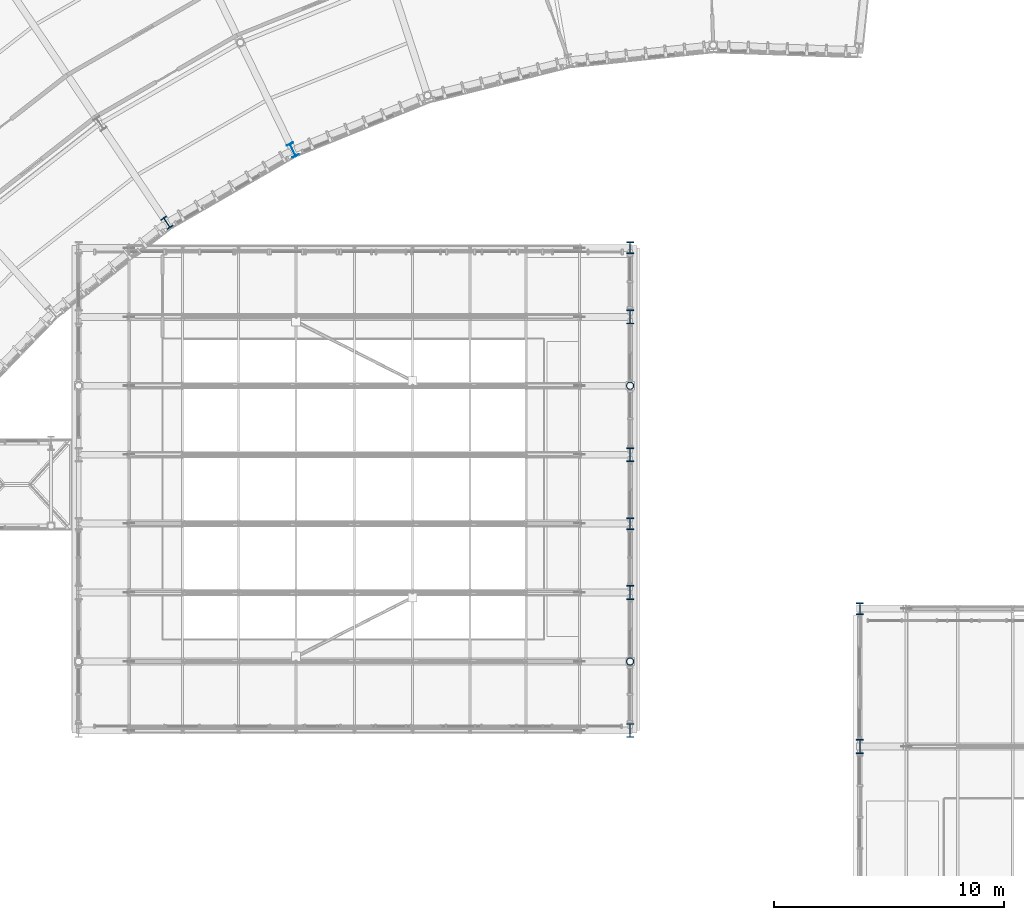
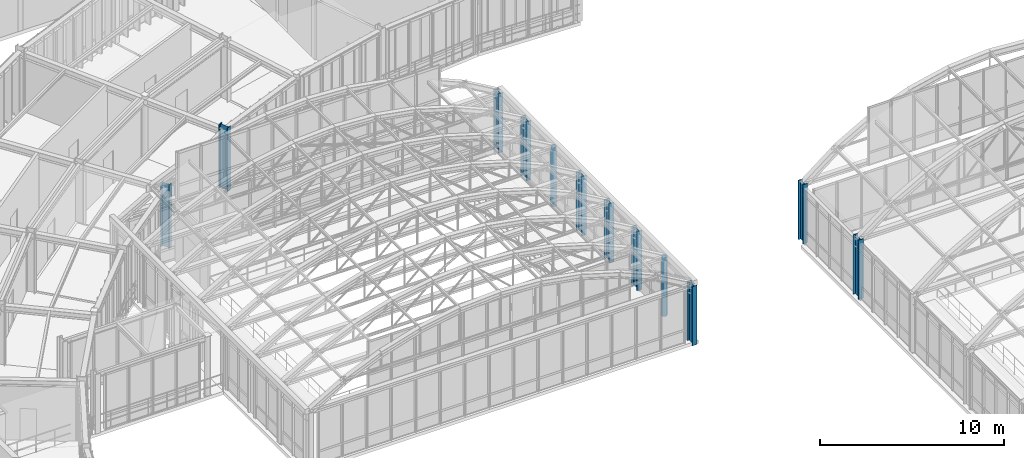
# One storey, part 6 of 148: 12 columns.
"""IFC4 building model written with IfcOpenShell, lengths in metres."""

from ifc_helpers import new_model, si_unit, direction, frame, origin, origin_2d, place, context, subcontext, project, spatial, hollow_circle, i_section, extrude, material, material_profile, profile_set, type_object, element, save


model = new_model("IFC4")

# Units and contexts
model_context = context("Model", 3, precision=1e-05, world=origin(), true_north=direction((0.0, 1.0)))
body_context = subcontext(model_context, "Body", "Model", "MODEL_VIEW")
ifc_project = project(units=[si_unit("LENGTHUNIT", "METRE"), si_unit("AREAUNIT", "SQUARE_METRE"), si_unit("VOLUMEUNIT", "CUBIC_METRE"), si_unit("PLANEANGLEUNIT", "RADIAN"), si_unit("MASSUNIT", "GRAM", prefix="KILO"), si_unit("THERMODYNAMICTEMPERATUREUNIT", "KELVIN"), si_unit("POWERUNIT", "WATT")], contexts=[model_context])

# Site, building, storey
site_placement = place(None, origin())
site = spatial("IfcSite", under=ifc_project, at=site_placement, CompositionType="ELEMENT")
building_placement = place(site_placement, origin())
building = spatial("IfcBuilding", under=site, at=building_placement, Name="Solvatero Civic Police Headquarters", CompositionType="ELEMENT")
storey_placement = place(building_placement, frame((0.0, 0.0, 5.10009765625)))
storey = spatial("IfcBuildingStorey", under=building, at=storey_placement, Name="L01", CompositionType="ELEMENT", Elevation=5.10009765625)

# Columns
ifc_material = material(Name="Steel S355", Category="steel")
ifc_material_profile_1 = material_profile(ifc_material, hollow_circle(Radius=0.161865234375, WallThickness=0.01611328125, at=origin_2d()), Name="CHS 323.9x16.0")
ifc_profile_set_1 = profile_set([ifc_material_profile_1], Name="Steel S355")
column_type_1 = type_object("IfcColumnType", Name="COL-ST-CHS324", PredefinedType="COLUMN", material=ifc_profile_set_1)
for number, where, z_axis, x_axis, name in (
    (1, (88.800048828125, 44.5, 0.0), (0.0, 0.0, 1.0), (1.0, 0.0, 0.0), "Column V2-E-F2 L01"),
    (2, (88.800048828125, 56.5, 0.0), (0.0, 0.0, 1.0), (1.0, 0.0, 0.0), "Column V2-E-F6 L01"),
):
    element("IfcColumn", number, at=place(storey_placement, frame(where, z_axis=z_axis, x_axis=x_axis)), inside=storey, type_object=column_type_1, Name=name, PredefinedType="COLUMN", context=body_context, shape_type="SweptSolid", body=[
        extrude(hollow_circle(Radius=0.161865234375, WallThickness=0.01611328125, at=origin_2d()), origin(), (0.0, 0.0, 1.0), 3.919921875),
    ])
ifc_material_profile_2 = material_profile(ifc_material, i_section(OverallWidth=0.300048828125, OverallDepth=0.60009765625, WebThickness=0.015380859375, FlangeThickness=0.030029296875, FilletRadius=0.027099609375, at=origin_2d()), Name="HEB 600")
ifc_profile_set_2 = profile_set([ifc_material_profile_2], Name="Steel S355")
column_type_2 = type_object("IfcColumnType", Name="COL-ST-HEB600", PredefinedType="COLUMN", material=ifc_profile_set_2)
column_1_placement = place(storey_placement, frame((74.119873046875, 66.76025390625, 0.0), z_axis=(0.0, 0.0, 1.0), x_axis=(0.898794046299, 0.438371146789, 0.0)))
element("IfcColumn", 3, at=column_1_placement, inside=storey, type_object=column_type_2, Name="Column ARC-S04-IN L01", PredefinedType="COLUMN", context=body_context, shape_type="SweptSolid", body=[
    extrude(i_section(OverallWidth=0.300048828125, OverallDepth=0.60009765625, WebThickness=0.015380859375, FlangeThickness=0.030029296875, FilletRadius=0.027099609375, at=origin_2d()), origin(), (0.0, 0.0, 1.0), 4.199951171875),
])
for number, where, z_axis, x_axis, name in (
    (4, (88.800048828125, 41.5, 0.0), (0.0, 0.0, 1.0), (1.0, 0.0, 0.0), "Column V2-E-F1 L01"),
    (5, (88.800048828125, 53.5, 0.0), (0.0, 0.0, 1.0), (1.0, 0.0, 0.0), "Column V2-E-F5 L01"),
):
    element("IfcColumn", number, at=place(storey_placement, frame(where, z_axis=z_axis, x_axis=x_axis)), inside=storey, type_object=column_type_2, Name=name, PredefinedType="COLUMN", context=body_context, shape_type="SweptSolid", body=[
        extrude(i_section(OverallWidth=0.300048828125, OverallDepth=0.60009765625, WebThickness=0.015380859375, FlangeThickness=0.030029296875, FilletRadius=0.027099609375, at=origin_2d()), origin(), (0.0, 0.0, 1.0), 3.919921875),
    ])
ifc_material_profile_3 = material_profile(ifc_material, i_section(OverallWidth=0.305908203125, OverallDepth=0.52392578125, WebThickness=0.02099609375, FlangeThickness=0.0400390625, FilletRadius=0.027099609375, at=origin_2d()), Name="HEM 500")
ifc_profile_set_3 = profile_set([ifc_material_profile_3], Name="Steel S355")
column_type_3 = type_object("IfcColumnType", Name="COL-ST-HEM500", PredefinedType="COLUMN", material=ifc_profile_set_3)
column_2_placement = place(storey_placement, frame((68.640625, 63.596923828125, 0.0), z_axis=(0.0, 0.0, 1.0), x_axis=(0.829037572555, 0.559192903471, 0.0)))
element("IfcColumn", 6, at=column_2_placement, inside=storey, type_object=column_type_3, Name="Column ARC-S05-IN L01", PredefinedType="COLUMN", context=body_context, shape_type="SweptSolid", body=[
    extrude(i_section(OverallWidth=0.305908203125, OverallDepth=0.52392578125, WebThickness=0.02099609375, FlangeThickness=0.0400390625, FilletRadius=0.027099609375, at=origin_2d()), origin(), (0.0, 0.0, 1.0), 4.199951171875),
])
for number, where, z_axis, x_axis, name in (
    (7, (98.800048828125, 46.800048828125, 0.0), (0.0, 0.0, 1.0), (1.0, 0.0, 0.0), "Column V1-W-F8 L01"),
    (8, (88.800048828125, 50.5, 0.0), (0.0, 0.0, 1.0), (1.0, 0.0, 0.0), "Column V2-E-F4 L01"),
    (9, (88.800048828125, 62.5, 0.0), (0.0, 0.0, 1.0), (1.0, 0.0, 0.0), "Column V2-E-F8 L01"),
):
    element("IfcColumn", number, at=place(storey_placement, frame(where, z_axis=z_axis, x_axis=x_axis)), inside=storey, type_object=column_type_3, Name=name, PredefinedType="COLUMN", context=body_context, shape_type="SweptSolid", body=[
        extrude(i_section(OverallWidth=0.305908203125, OverallDepth=0.52392578125, WebThickness=0.02099609375, FlangeThickness=0.0400390625, FilletRadius=0.027099609375, at=origin_2d()), origin(), (0.0, 0.0, 1.0), 3.919921875),
    ])
ifc_material_profile_4 = material_profile(ifc_material, i_section(OverallWidth=0.304931640625, OverallDepth=0.6201171875, WebThickness=0.02099609375, FlangeThickness=0.0400390625, FilletRadius=0.027099609375, at=origin_2d()), Name="HEM 600")
ifc_profile_set_4 = profile_set([ifc_material_profile_4], Name="Steel S355")
column_type_4 = type_object("IfcColumnType", Name="COL-ST-HEM600", PredefinedType="COLUMN", material=ifc_profile_set_4)
for number, where, z_axis, x_axis, name in (
    (10, (98.800048828125, 40.800048828125, 0.0), (0.0, 0.0, 1.0), (1.0, 0.0, 0.0), "Column V1-W-F7 L01"),
    (11, (88.800048828125, 47.5, 0.0), (0.0, 0.0, 1.0), (1.0, 0.0, 0.0), "Column V2-E-F3 L01"),
    (12, (88.800048828125, 59.5, 0.0), (0.0, 0.0, 1.0), (1.0, 0.0, 0.0), "Column V2-E-F7 L01"),
):
    element("IfcColumn", number, at=place(storey_placement, frame(where, z_axis=z_axis, x_axis=x_axis)), inside=storey, type_object=column_type_4, Name=name, PredefinedType="COLUMN", context=body_context, shape_type="SweptSolid", body=[
        extrude(i_section(OverallWidth=0.304931640625, OverallDepth=0.6201171875, WebThickness=0.02099609375, FlangeThickness=0.0400390625, FilletRadius=0.027099609375, at=origin_2d()), origin(), (0.0, 0.0, 1.0), 3.919921875),
    ])

save(model, "model.ifc")
